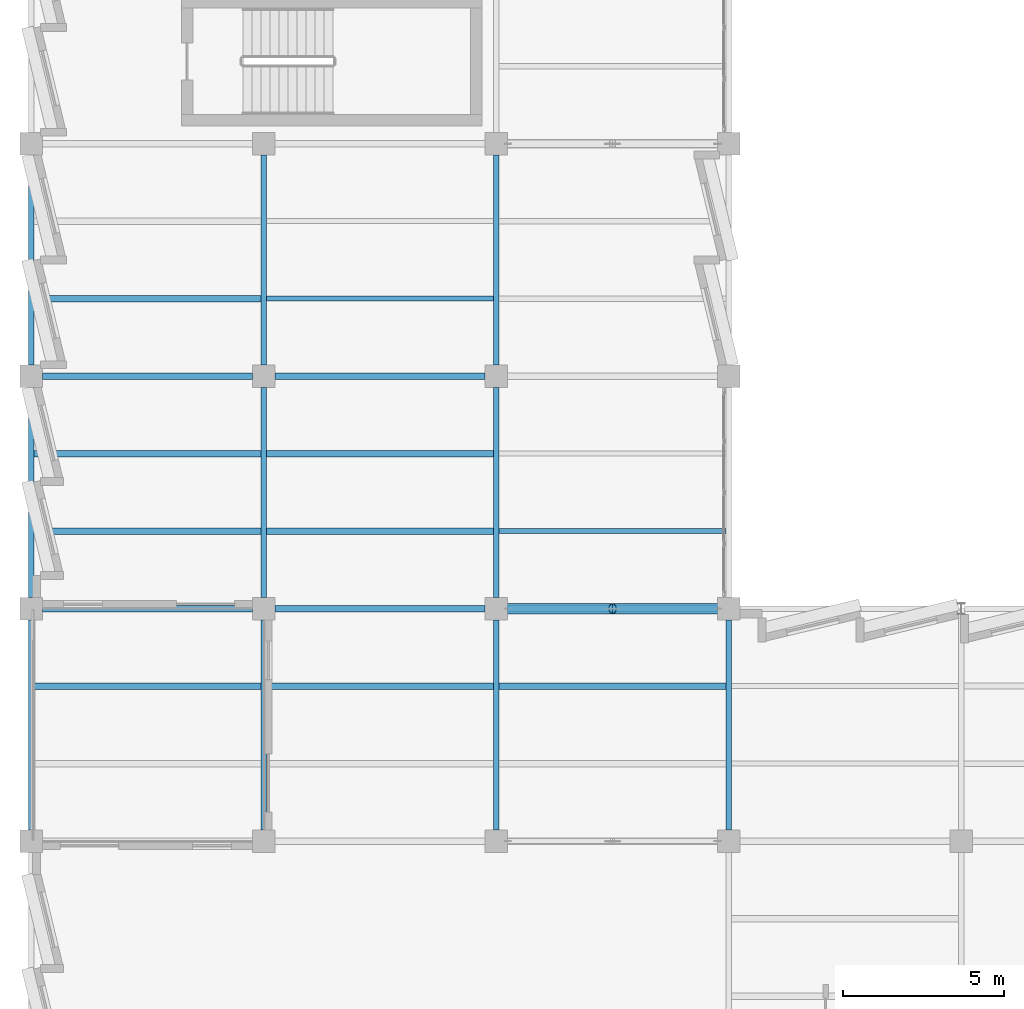
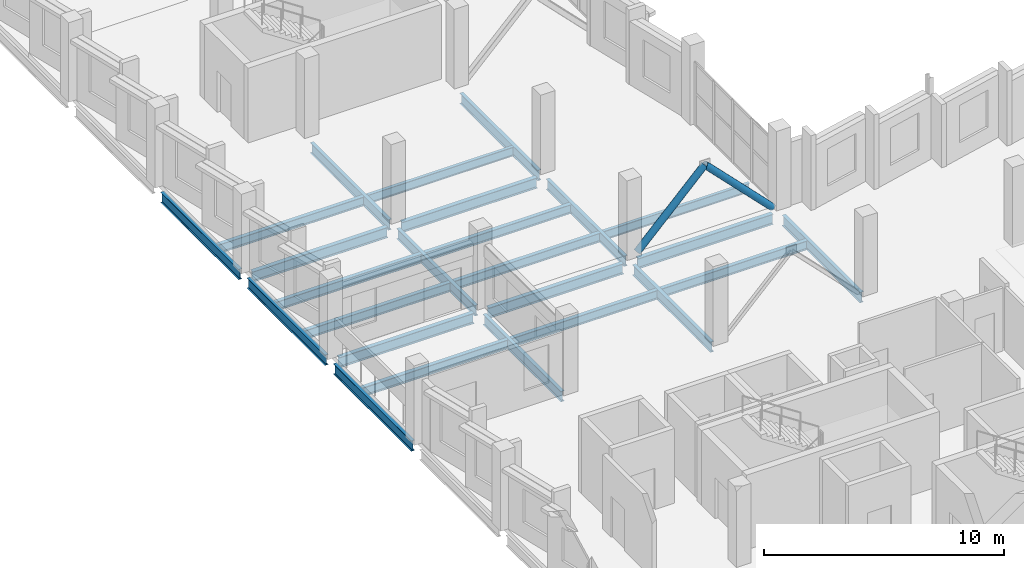
# One storey, part 9 of 33: 25 beams, 2 members.
"""IFC4 building model written with IfcOpenShell, lengths in metres."""

from ifc_helpers import new_model, si_unit, direction, frame, origin, origin_2d, place, context, subcontext, project, spatial, hollow_circle, i_section, extrude, material, material_profile, profile_set, type_object, element, save


model = new_model("IFC4")

# Units and contexts
model_context = context("Model", 3, precision=1e-05, world=origin(), true_north=direction((0.0, 1.0)))
body_context = subcontext(model_context, "Body", "Model", "MODEL_VIEW")
ifc_project = project(units=[si_unit("LENGTHUNIT", "METRE"), si_unit("AREAUNIT", "SQUARE_METRE"), si_unit("VOLUMEUNIT", "CUBIC_METRE"), si_unit("PLANEANGLEUNIT", "RADIAN"), si_unit("MASSUNIT", "GRAM", prefix="KILO")], contexts=[model_context])

# Site, building, storey
site_placement = place(None, origin())
site = spatial("IfcSite", under=ifc_project, at=site_placement, CompositionType="ELEMENT")
building_placement = place(site_placement, origin())
building = spatial("IfcBuilding", under=site, at=building_placement, Name="Kalmorath City Hall", CompositionType="ELEMENT")
storey_placement = place(building_placement, frame((0.0, 0.0, 22.949951171875)))
storey = spatial("IfcBuildingStorey", under=building, at=storey_placement, Name="L05", CompositionType="ELEMENT", Elevation=22.949951171875)

# Beams
ifc_material_1 = material(Name="Steel ASTM A992 Grade 50", Category="steel")
ifc_material_profile_1 = material_profile(ifc_material_1, i_section(OverallWidth=0.153076171875, OverallDepth=0.455078125, WebThickness=0.008056640625, FlangeThickness=0.01318359375, FilletRadius=0.013916015625, at=origin_2d()), Name="W18X40")
ifc_profile_set_1 = profile_set([ifc_material_profile_1], Name="Steel ASTM A992 Grade 50")
beam_type_1 = type_object("IfcBeamType", Name="Steel composite joist W18X40", PredefinedType="JOIST", material=ifc_profile_set_1)
beam_1_placement = place(storey_placement, frame((7.283447265625, 45.60009765625, -0.521484375), z_axis=(1.0, 0.0, 0.0), x_axis=(0.0, 1.0, 0.0)))
element("IfcBeam", 1, at=beam_1_placement, inside=storey, type_object=beam_type_1, Name="L05 joist SJ4 2.7.1", PredefinedType="JOIST", context=body_context, shape_type="SweptSolid", body=[
    extrude(i_section(OverallWidth=0.153076171875, OverallDepth=0.455078125, WebThickness=0.008056640625, FlangeThickness=0.01318359375, FilletRadius=0.013916015625, at=origin_2d()), origin(), (0.0, 0.0, 1.0), 7.032958984375),
])
beam_2_placement = place(storey_placement, frame((14.4833984375, 38.39990234375, -0.521484375), z_axis=(1.0, 0.0, 0.0), x_axis=(0.0, 1.0, 0.0)))
element("IfcBeam", 2, at=beam_2_placement, inside=storey, type_object=beam_type_1, Name="L05 joist SJ4 3.6.1", PredefinedType="JOIST", context=body_context, shape_type="SweptSolid", body=[
    extrude(i_section(OverallWidth=0.153076171875, OverallDepth=0.455078125, WebThickness=0.008056640625, FlangeThickness=0.01318359375, FilletRadius=0.013916015625, at=origin_2d()), origin(), (0.0, 0.0, 1.0), 7.0341796875),
])
ifc_material_2 = material(Name="Steel ASTM A992 Grade 50", Category="steel")
ifc_material_profile_2 = material_profile(ifc_material_2, i_section(OverallWidth=0.19091796875, OverallDepth=0.45703125, WebThickness=0.009033203125, FlangeThickness=0.014404296875, FilletRadius=0.013916015625, at=origin_2d()), Name="W18X50")
ifc_profile_set_2 = profile_set([ifc_material_profile_2], Name="Steel ASTM A992 Grade 50")
beam_type_2 = type_object("IfcBeamType", Name="Steel composite joist W18X50", PredefinedType="JOIST", material=ifc_profile_set_2)
beam_3_placement = place(storey_placement, frame((0.08251953125, 45.60009765625, -0.5224609375), z_axis=(1.0, 0.0, 0.0), x_axis=(0.0, 1.0, 0.0)))
element("IfcBeam", 3, at=beam_3_placement, inside=storey, type_object=beam_type_2, Name="L05 joist SJ3 1.7.1", PredefinedType="JOIST", context=body_context, shape_type="SweptSolid", body=[
    extrude(i_section(OverallWidth=0.19091796875, OverallDepth=0.45703125, WebThickness=0.009033203125, FlangeThickness=0.014404296875, FilletRadius=0.013916015625, at=origin_2d()), origin(), (0.0, 0.0, 1.0), 7.033935546875),
])
for number, where, z_axis, x_axis, name in (
    (4, (7.283447265625, 38.39990234375, -0.5224609375), (1.0, 0.0, 0.0), (0.0, 1.0, 0.0), "L05 joist SJ3 2.6.1"),
    (5, (7.283447265625, 40.800048828125, -0.5224609375), (1.0, 0.0, 0.0), (0.0, 1.0, 0.0), "L05 joist SJ3 2.6.2"),
):
    element("IfcBeam", number, at=place(storey_placement, frame(where, z_axis=z_axis, x_axis=x_axis)), inside=storey, type_object=beam_type_2, Name=name, PredefinedType="JOIST", context=body_context, shape_type="SweptSolid", body=[
        extrude(i_section(OverallWidth=0.19091796875, OverallDepth=0.45703125, WebThickness=0.009033203125, FlangeThickness=0.014404296875, FilletRadius=0.013916015625, at=origin_2d()), origin(), (0.0, 0.0, 1.0), 7.032958984375),
    ])
beam_4_placement = place(storey_placement, frame((14.4833984375, 33.60009765625, -0.5224609375), z_axis=(1.0, 0.0, 0.0), x_axis=(0.0, 1.0, 0.0)))
element("IfcBeam", 6, at=beam_4_placement, inside=storey, type_object=beam_type_2, Name="L05 joist SJ3 3.5.2", PredefinedType="JOIST", context=body_context, shape_type="SweptSolid", body=[
    extrude(i_section(OverallWidth=0.19091796875, OverallDepth=0.45703125, WebThickness=0.009033203125, FlangeThickness=0.014404296875, FilletRadius=0.013916015625, at=origin_2d()), origin(), (0.0, 0.0, 1.0), 7.033203125),
])
ifc_material_3 = material(Name="Steel ASTM A992 Grade 50", Category="steel")
ifc_material_profile_3 = material_profile(ifc_material_3, i_section(OverallWidth=0.19091796875, OverallDepth=0.4599609375, WebThickness=0.010009765625, FlangeThickness=0.01611328125, FilletRadius=0.013916015625, at=origin_2d()), Name="W18X55")
ifc_profile_set_3 = profile_set([ifc_material_profile_3], Name="Steel ASTM A992 Grade 50")
beam_type_3 = type_object("IfcBeamType", Name="Steel composite joist W18X55", PredefinedType="JOIST", material=ifc_profile_set_3)
for number, where, z_axis, x_axis, name in (
    (7, (0.08251953125, 38.39990234375, -0.52392578125), (1.0, 0.0, 0.0), (0.0, 1.0, 0.0), "L05 joist SJ2 1.6.1"),
    (8, (0.08251953125, 40.800048828125, -0.52392578125), (1.0, 0.0, 0.0), (0.0, 1.0, 0.0), "L05 joist SJ2 1.6.2"),
):
    element("IfcBeam", number, at=place(storey_placement, frame(where, z_axis=z_axis, x_axis=x_axis)), inside=storey, type_object=beam_type_3, Name=name, PredefinedType="JOIST", context=body_context, shape_type="SweptSolid", body=[
        extrude(i_section(OverallWidth=0.19091796875, OverallDepth=0.4599609375, WebThickness=0.010009765625, FlangeThickness=0.01611328125, FilletRadius=0.013916015625, at=origin_2d()), origin(), (0.0, 0.0, 1.0), 7.033935546875),
    ])
beam_5_placement = place(storey_placement, frame((7.283447265625, 33.60009765625, -0.52392578125), z_axis=(1.0, 0.0, 0.0), x_axis=(0.0, 1.0, 0.0)))
element("IfcBeam", 9, at=beam_5_placement, inside=storey, type_object=beam_type_3, Name="L05 joist SJ2 2.5.2", PredefinedType="JOIST", context=body_context, shape_type="SweptSolid", body=[
    extrude(i_section(OverallWidth=0.19091796875, OverallDepth=0.4599609375, WebThickness=0.010009765625, FlangeThickness=0.01611328125, FilletRadius=0.013916015625, at=origin_2d()), origin(), (0.0, 0.0, 1.0), 7.032958984375),
])
ifc_material_4 = material(Name="Steel ASTM A992 Grade 50", Category="steel")
ifc_material_profile_4 = material_profile(ifc_material_4, i_section(OverallWidth=0.193115234375, OverallDepth=0.466064453125, WebThickness=0.011474609375, FlangeThickness=0.01904296875, FilletRadius=0.013916015625, at=origin_2d()), Name="W18X65")
ifc_profile_set_4 = profile_set([ifc_material_profile_4], Name="Steel ASTM A992 Grade 50")
beam_type_4 = type_object("IfcBeamType", Name="Steel composite joist W18X65", PredefinedType="JOIST", material=ifc_profile_set_4)
beam_6_placement = place(storey_placement, frame((0.08251953125, 33.60009765625, -0.52685546875), z_axis=(1.0, 0.0, 0.0), x_axis=(0.0, 1.0, 0.0)))
element("IfcBeam", 10, at=beam_6_placement, inside=storey, type_object=beam_type_4, Name="L05 joist SJ1 1.5.2", PredefinedType="JOIST", context=body_context, shape_type="SweptSolid", body=[
    extrude(i_section(OverallWidth=0.193115234375, OverallDepth=0.466064453125, WebThickness=0.011474609375, FlangeThickness=0.01904296875, FilletRadius=0.013916015625, at=origin_2d()), origin(), (0.0, 0.0, 1.0), 7.033935546875),
])
ifc_material_5 = material(Name="Steel ASTM A992 Grade 50", Category="steel")
ifc_material_profile_5 = material_profile(ifc_material_5, i_section(OverallWidth=0.1669921875, OverallDepth=0.534912109375, WebThickness=0.01025390625, FlangeThickness=0.0166015625, FilletRadius=0.014892578125, at=origin_2d()), Name="W21X57")
ifc_profile_set_5 = profile_set([ifc_material_profile_5], Name="Steel ASTM A992 Grade 50")
beam_type_5 = type_object("IfcBeamType", Name="Steel floor beam W21X57", PredefinedType="BEAM", material=ifc_profile_set_5)
for number, where, z_axis, x_axis, name in (
    (11, (7.199951171875, 29.14990234375, -0.5615234375), (0.0, 1.0, 0.0), (-1.0, 0.0, 0.0), "L05 girder SB3 Y2/5-6"),
    (12, (7.199951171875, 36.35009765625, -0.5615234375), (0.0, 1.0, 0.0), (-1.0, 0.0, 0.0), "L05 girder SB3 Y2/6-7"),
    (13, (7.199951171875, 43.550048828125, -0.5615234375), (0.0, 1.0, 0.0), (-1.0, 0.0, 0.0), "L05 girder SB3 Y2/7-8"),
    (14, (14.39990234375, 29.14990234375, -0.5615234375), (0.0, 1.0, 0.0), (-1.0, 0.0, 0.0), "L05 girder SB3 Y3/5-6"),
    (15, (14.39990234375, 36.35009765625, -0.5615234375), (0.0, 1.0, 0.0), (-1.0, 0.0, 0.0), "L05 girder SB3 Y3/6-7"),
    (16, (14.39990234375, 43.550048828125, -0.5615234375), (0.0, 1.0, 0.0), (-1.0, 0.0, 0.0), "L05 girder SB3 Y3/7-8"),
    (17, (21.60009765625, 29.14990234375, -0.5615234375), (0.0, 1.0, 0.0), (-1.0, 0.0, 0.0), "L05 girder SB3 Y4/5-6"),
):
    element("IfcBeam", number, at=place(storey_placement, frame(where, z_axis=z_axis, x_axis=x_axis)), inside=storey, type_object=beam_type_5, Name=name, PredefinedType="BEAM", context=body_context, shape_type="SweptSolid", body=[
        extrude(i_section(OverallWidth=0.1669921875, OverallDepth=0.534912109375, WebThickness=0.01025390625, FlangeThickness=0.0166015625, FilletRadius=0.014892578125, at=origin_2d()), origin(), (0.0, 0.0, 1.0), 6.5),
    ])
ifc_material_6 = material(Name="Steel ASTM A992 Grade 50", Category="steel")
ifc_material_profile_6 = material_profile(ifc_material_6, i_section(OverallWidth=0.208984375, OverallDepth=0.532958984375, WebThickness=0.01025390625, FlangeThickness=0.015625, FilletRadius=0.014892578125, at=origin_2d()), Name="W21X62")
ifc_profile_set_6 = profile_set([ifc_material_profile_6], Name="Steel ASTM A992 Grade 50")
beam_type_6 = type_object("IfcBeamType", Name="Steel floor beam W21X62", PredefinedType="BEAM", material=ifc_profile_set_6)
for number, where, z_axis, x_axis, name in (
    (18, (0.35009765625, 36.0, -0.560546875), (1.0, 0.0, 0.0), (0.0, 1.0, 0.0), "L05 girder SB2 X1-2/6"),
    (19, (7.550048828125, 36.0, -0.560546875), (1.0, 0.0, 0.0), (0.0, 1.0, 0.0), "L05 girder SB2 X2-3/6"),
    (20, (14.75, 36.0, -0.560546875), (1.0, 0.0, 0.0), (0.0, 1.0, 0.0), "L05 girder SB2 X3-4/6"),
    (21, (0.35009765625, 43.199951171875, -0.560546875), (1.0, 0.0, 0.0), (0.0, 1.0, 0.0), "L05 girder SB2 X1-2/7"),
    (22, (7.550048828125, 43.199951171875, -0.560546875), (1.0, 0.0, 0.0), (0.0, 1.0, 0.0), "L05 girder SB2 X2-3/7"),
):
    element("IfcBeam", number, at=place(storey_placement, frame(where, z_axis=z_axis, x_axis=x_axis)), inside=storey, type_object=beam_type_6, Name=name, PredefinedType="BEAM", context=body_context, shape_type="SweptSolid", body=[
        extrude(i_section(OverallWidth=0.208984375, OverallDepth=0.532958984375, WebThickness=0.01025390625, FlangeThickness=0.015625, FilletRadius=0.014892578125, at=origin_2d()), origin(), (0.0, 0.0, 1.0), 6.5),
    ])
ifc_material_7 = material(Name="Steel ASTM A992 Grade 50", Category="steel")
ifc_material_profile_7 = material_profile(ifc_material_7, i_section(OverallWidth=0.1650390625, OverallDepth=0.52490234375, WebThickness=0.0087890625, FlangeThickness=0.011474609375, FilletRadius=0.014892578125, at=origin_2d()), Name="W21X44")
ifc_profile_set_7 = profile_set([ifc_material_profile_7], Name="Steel ASTM A992 Grade 50")
beam_type_7 = type_object("IfcBeamType", Name="Steel spandrel beam W21X44", PredefinedType="SPANDREL", material=ifc_profile_set_7)
for number, where, z_axis, x_axis, name in (
    (23, (0.0, 29.14990234375, -0.556396484375), (0.0, 1.0, 0.0), (-1.0, 0.0, 0.0), "L05 girder SB4 Y1/5-6"),
    (24, (0.0, 36.35009765625, -0.556396484375), (0.0, 1.0, 0.0), (-1.0, 0.0, 0.0), "L05 girder SB4 Y1/6-7"),
    (25, (0.0, 43.550048828125, -0.556396484375), (0.0, 1.0, 0.0), (-1.0, 0.0, 0.0), "L05 girder SB4 Y1/7-8"),
):
    element("IfcBeam", number, at=place(storey_placement, frame(where, z_axis=z_axis, x_axis=x_axis)), inside=storey, type_object=beam_type_7, Name=name, PredefinedType="SPANDREL", context=body_context, shape_type="SweptSolid", body=[
        extrude(i_section(OverallWidth=0.1650390625, OverallDepth=0.52490234375, WebThickness=0.0087890625, FlangeThickness=0.011474609375, FilletRadius=0.014892578125, at=origin_2d()), origin(), (0.0, 0.0, 1.0), 6.5),
    ])

# Members
ifc_material_8 = material(Name="Steel ASTM A500 Grade C", Category="steel")
ifc_material_profile_8 = material_profile(ifc_material_8, hollow_circle(Radius=0.162109375, WallThickness=0.01171875, at=origin_2d()), Name="HSS324X12.7")
ifc_profile_set_8 = profile_set([ifc_material_profile_8], Name="Steel ASTM A500 Grade C")
member_type = type_object("IfcMemberType", Name="Steel tubular strut HSS324X12.7", PredefinedType="BRACE", material=ifc_profile_set_8)
for number, where, z_axis, x_axis, name in (
    (26, (14.75, 36.0, 0.0), (0.701683305053, 0.0, 0.71248897494), (0.0, 1.0, 0.0), "L05 chevron brace BR5 2A"),
    (27, (21.25, 36.0, 0.0), (-0.701683305053, 0.0, 0.71248897494), (0.0, -1.0, 0.0), "L05 chevron brace BR5 2B"),
):
    element("IfcMember", number, at=place(storey_placement, frame(where, z_axis=z_axis, x_axis=x_axis)), inside=storey, type_object=member_type, Name=name, PredefinedType="BRACE", context=body_context, shape_type="SweptSolid", body=[
        extrude(hollow_circle(Radius=0.162109375, WallThickness=0.01171875, at=origin_2d()), origin(), (0.0, 0.0, 1.0), 4.6318359375),
    ])

save(model, "model.ifc")
